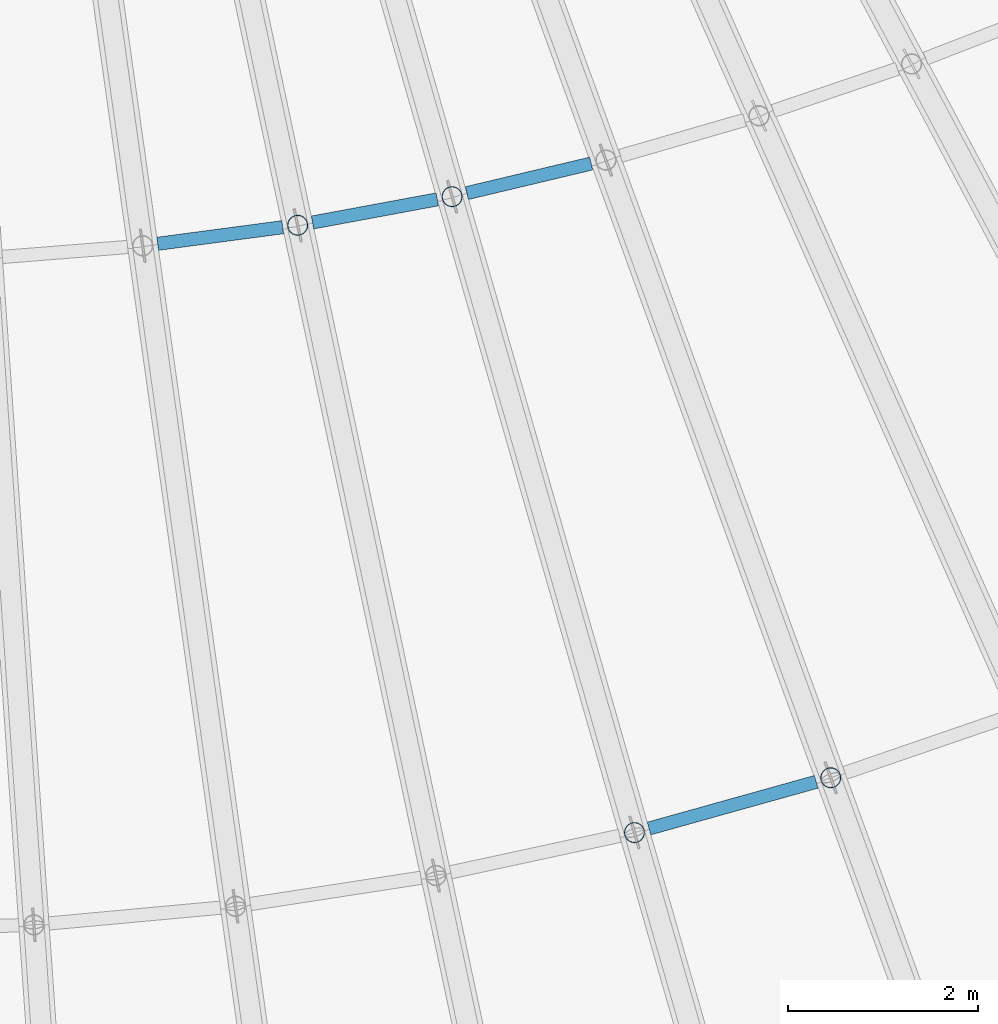
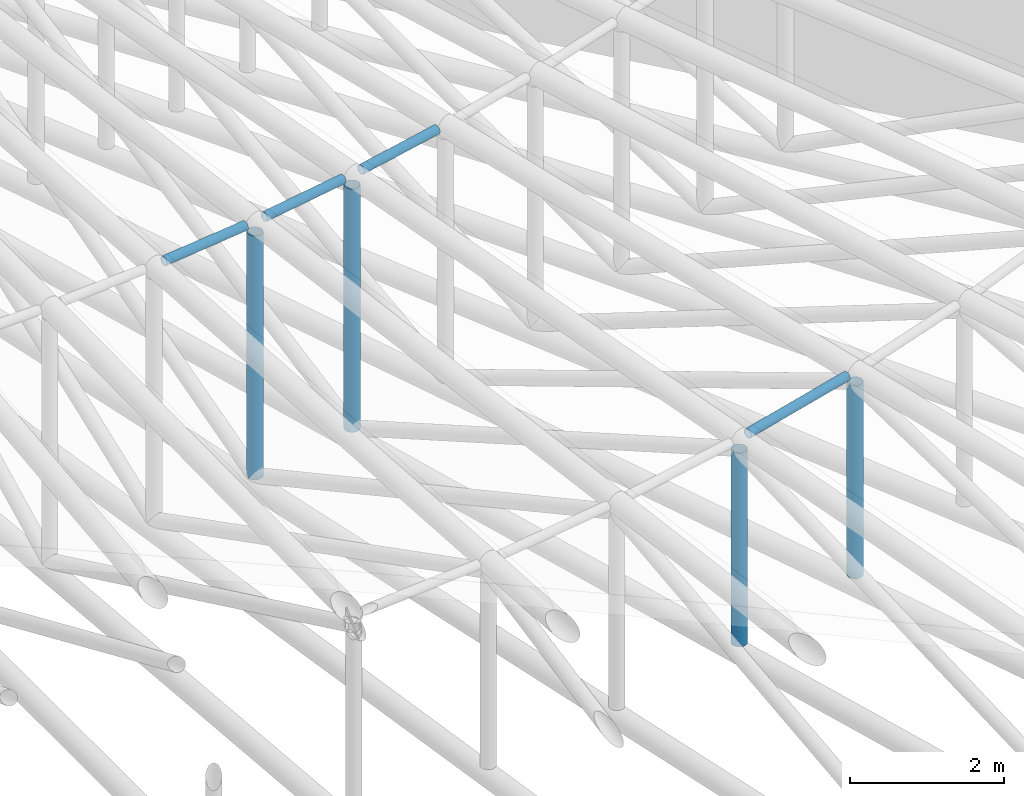
# One storey, part 37 of 163: 8 members.
"""IFC4 building model written with IfcOpenShell, lengths in metres."""

from ifc_helpers import new_model, si_unit, direction, frame, origin, origin_2d, place, context, subcontext, project, spatial, hollow_circle, extrude, material, material_profile, profile_set, type_object, element, save


model = new_model("IFC4")

# Units and contexts
model_context = context("Model", 3, precision=1e-05, world=origin(), true_north=direction((0.0, 1.0)))
body_context = subcontext(model_context, "Body", "Model", "MODEL_VIEW")
ifc_project = project(units=[si_unit("LENGTHUNIT", "METRE"), si_unit("AREAUNIT", "SQUARE_METRE"), si_unit("VOLUMEUNIT", "CUBIC_METRE"), si_unit("PLANEANGLEUNIT", "RADIAN"), si_unit("MASSUNIT", "GRAM", prefix="KILO")], contexts=[model_context])

# Site, building, storey
site_placement = place(None, origin())
site = spatial("IfcSite", under=ifc_project, at=site_placement, CompositionType="ELEMENT")
building_placement = place(site_placement, origin())
building = spatial("IfcBuilding", under=site, at=building_placement, Name="Rain Tree Exposition and Congress Centre", CompositionType="ELEMENT")
storey_placement = place(building_placement, frame((0.0, 0.0, 10.5)))
storey = spatial("IfcBuildingStorey", under=building, at=storey_placement, Name="L02", CompositionType="ELEMENT", Elevation=10.5)

# Members
ifc_material_1 = material(Name="Steel S355J2H", Category="steel")
ifc_material_profile_1 = material_profile(ifc_material_1, hollow_circle(Radius=0.108154296875, WallThickness=0.008056640625, at=origin_2d()), Name="CHS 216x8")
ifc_profile_set_1 = profile_set([ifc_material_profile_1], Name="Steel S355J2H")
member_type_1 = type_object("IfcMemberType", Name="Steel post member CHS 216x8", PredefinedType="POST", material=ifc_profile_set_1)
member_1_placement = place(storey_placement, frame((206.506591796875, 44.11572265625, 0.318603515625), z_axis=(0.0, 0.0, 1.0), x_axis=(1.0, 0.0, 0.0)))
element("IfcMember", 1, at=member_1_placement, inside=storey, type_object=member_type_1, Name="TP13-4", PredefinedType="POST", context=body_context, shape_type="SweptSolid", body=[
    extrude(hollow_circle(Radius=0.108154296875, WallThickness=0.008056640625, at=origin_2d()), origin(), (0.0, 0.0, 1.0), 3.8544921875),
])
member_2_placement = place(storey_placement, frame((210.052978515625, 37.720703125, 0.318603515625), z_axis=(0.0, 0.0, 1.0), x_axis=(1.0, 0.0, 0.0)))
element("IfcMember", 2, at=member_2_placement, inside=storey, type_object=member_type_1, Name="TP14-3", PredefinedType="POST", context=body_context, shape_type="SweptSolid", body=[
    extrude(hollow_circle(Radius=0.108154296875, WallThickness=0.008056640625, at=origin_2d()), origin(), (0.0, 0.0, 1.0), 3.059326171875),
])
member_3_placement = place(storey_placement, frame((208.1328125, 44.4169921875, 0.318603515625), z_axis=(0.0, 0.0, 1.0), x_axis=(1.0, 0.0, 0.0)))
element("IfcMember", 3, at=member_3_placement, inside=storey, type_object=member_type_1, Name="TP14-4", PredefinedType="POST", context=body_context, shape_type="SweptSolid", body=[
    extrude(hollow_circle(Radius=0.108154296875, WallThickness=0.008056640625, at=origin_2d()), origin(), (0.0, 0.0, 1.0), 3.843017578125),
])
member_4_placement = place(storey_placement, frame((212.119384765625, 38.2978515625, 0.318603515625), z_axis=(0.0, 0.0, 1.0), x_axis=(1.0, 0.0, 0.0)))
element("IfcMember", 4, at=member_4_placement, inside=storey, type_object=member_type_1, Name="TP15-3", PredefinedType="POST", context=body_context, shape_type="SweptSolid", body=[
    extrude(hollow_circle(Radius=0.108154296875, WallThickness=0.008056640625, at=origin_2d()), origin(), (0.0, 0.0, 1.0), 3.04931640625),
])
ifc_material_2 = material(Name="Steel S355J2H", Category="steel")
ifc_material_profile_2 = material_profile(ifc_material_2, hollow_circle(Radius=0.06982421875, WallThickness=0.0048828125, at=origin_2d()), Name="CHS 140x5")
ifc_profile_set_2 = profile_set([ifc_material_profile_2], Name="Steel S355J2H")
member_type_2 = type_object("IfcMemberType", Name="Steel purlin member CHS 140x5", PredefinedType="PURLIN", material=ifc_profile_set_2)
member_5_placement = place(storey_placement, frame((205.03271484375, 43.92041015625, 4.34130859375), z_axis=(0.991306985722, 0.131475513781, -0.004964809611), x_axis=(-0.131477134203, 0.991319203477, 0.0)))
element("IfcMember", 5, at=member_5_placement, inside=storey, type_object=member_type_2, Name="PU12-4", PredefinedType="PURLIN", context=body_context, shape_type="SweptSolid", body=[
    extrude(hollow_circle(Radius=0.06982421875, WallThickness=0.0048828125, at=origin_2d()), origin(), (0.0, 0.0, 1.0), 1.32763671875),
])
member_6_placement = place(storey_placement, frame((206.663330078125, 44.144775390625, 4.3330078125), z_axis=(0.983223099151, 0.18227471734, -0.006947281102), x_axis=(-0.182279116218, 0.983246827501, 0.0)))
element("IfcMember", 6, at=member_6_placement, inside=storey, type_object=member_type_2, Name="PU13-4", PredefinedType="PURLIN", context=body_context, shape_type="SweptSolid", body=[
    extrude(hollow_circle(Radius=0.06982421875, WallThickness=0.0048828125, at=origin_2d()), origin(), (0.0, 0.0, 1.0), 1.33544921875),
])
member_7_placement = place(storey_placement, frame((210.20654296875, 37.763427734375, 3.5380859375), z_axis=(0.963125392869, 0.269012268051, -0.004677312162), x_axis=(-0.269015210724, 0.963135928309, 0.0)))
element("IfcMember", 7, at=member_7_placement, inside=storey, type_object=member_type_2, Name="PU14-3", PredefinedType="PURLIN", context=body_context, shape_type="SweptSolid", body=[
    extrude(hollow_circle(Radius=0.06982421875, WallThickness=0.0048828125, at=origin_2d()), origin(), (0.0, 0.0, 1.0), 1.826904296875),
])
member_8_placement = place(storey_placement, frame((208.287841796875, 44.453857421875, 4.3212890625), z_axis=(0.972842382483, 0.231283616943, -0.009251344678), x_axis=(-0.231293515058, 0.97288401667, 0.0)))
element("IfcMember", 8, at=member_8_placement, inside=storey, type_object=member_type_2, Name="PU14-4", PredefinedType="PURLIN", context=body_context, shape_type="SweptSolid", body=[
    extrude(hollow_circle(Radius=0.06982421875, WallThickness=0.0048828125, at=origin_2d()), origin(), (0.0, 0.0, 1.0), 1.345947265625),
])

save(model, "model.ifc")
